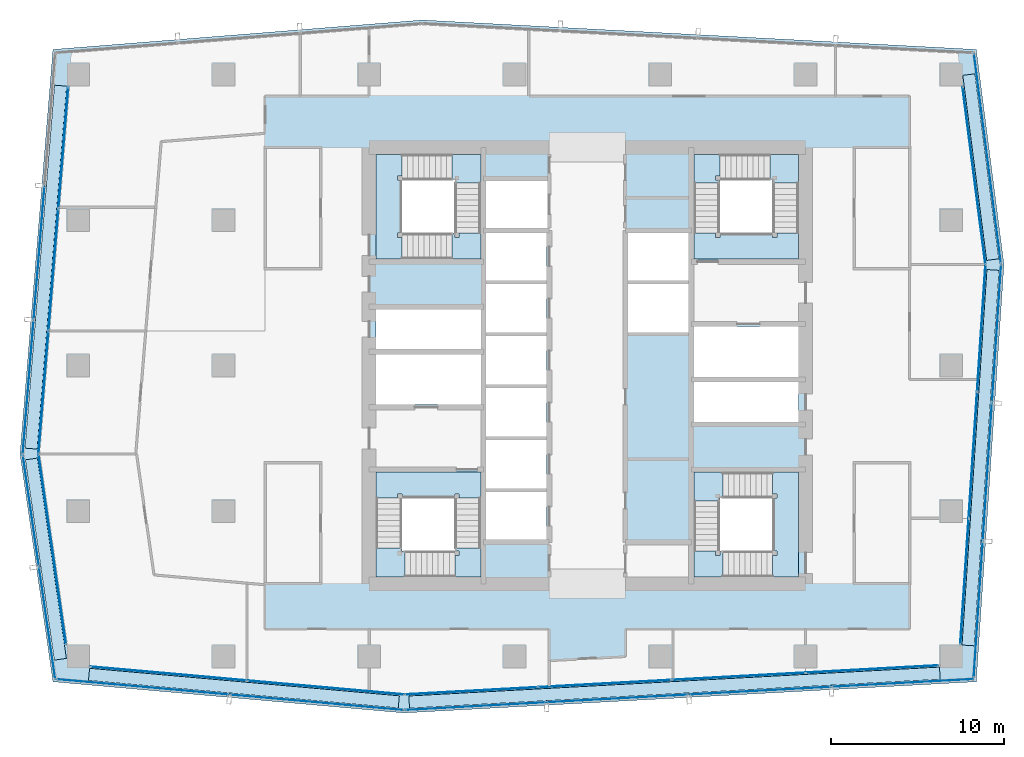
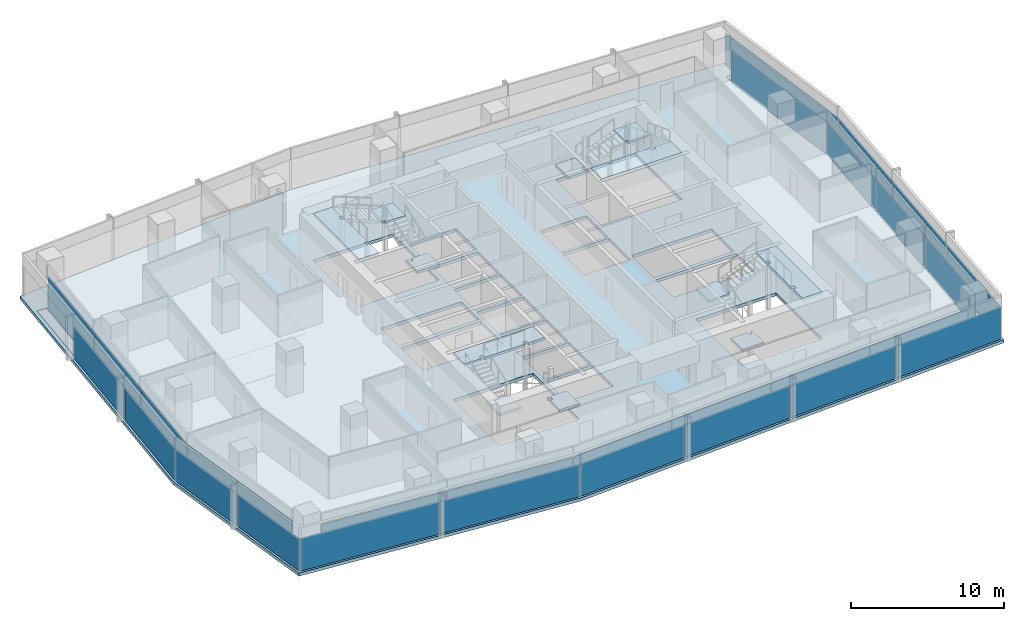
# One storey, part 21 of 29: 34 plates, 13 slabs, 16 elements without a shape of their own.
"""IFC4 building model written with IfcOpenShell, lengths in metres."""

from ifc_helpers import new_model, si_unit, direction, frame, origin, origin_2d, place, context, subcontext, project, spatial, polyline, rectangle, outline, extrude, material, layer, layer_set, type_object, element, aggregate, save


model = new_model("IFC4")

# Units and contexts
model_context = context("Model", 3, precision=1e-05, world=origin(), true_north=direction((0.0, 1.0)))
body_context = subcontext(model_context, "Body", "Model", "MODEL_VIEW")
ifc_project = project(units=[si_unit("LENGTHUNIT", "METRE"), si_unit("AREAUNIT", "SQUARE_METRE"), si_unit("VOLUMEUNIT", "CUBIC_METRE"), si_unit("PLANEANGLEUNIT", "RADIAN"), si_unit("MASSUNIT", "GRAM", prefix="KILO")], contexts=[model_context])

# Site, building, storey
site_placement = place(None, origin())
site = spatial("IfcSite", under=ifc_project, at=site_placement, CompositionType="ELEMENT")
building_placement = place(site_placement, origin())
building = spatial("IfcBuilding", under=site, at=building_placement, Name="Rekha Terrace Tower", CompositionType="ELEMENT")
storey_placement = place(building_placement, frame((0.0, 0.0, 280.10009765625)))
storey = spatial("IfcBuildingStorey", under=building, at=storey_placement, Name="L71", CompositionType="ELEMENT", Elevation=280.10009765625)

# Curtain wall, plates
ifc_material_1 = material(Name="Aluminium framing", Category="aluminium")
curtain_wall_type_1 = type_object("IfcCurtainWallType", Name="CW1 double skin inner glazing", PredefinedType="USERDEFINED", material=ifc_material_1)
curtain_wall_1_placement = place(storey_placement, origin())
curtain_wall_1 = element("IfcCurtainWall", 1, at=curtain_wall_1_placement, inside=storey, type_object=curtain_wall_type_1, Name="CW1 double skin inner glazing", ObjectType="DOUBLE SKIN INNER GLAZING", PredefinedType="USERDEFINED")
ifc_material_2 = material(Name="Double-glazed low-e unit 32", Category="glass")
ifc_layer_1 = layer(ifc_material_2, 0.031982421875)
ifc_layer_set_1 = layer_set([ifc_layer_1], Name="Double-glazed low-e unit 32")
plate_type_1 = type_object("IfcPlateType", Name="CW1 jumbo vision panel, double-glazed low-e unit 32", PredefinedType="CURTAIN_PANEL", material=ifc_layer_set_1)
plate_1_placement = place(storey_placement, frame((13.62939453125, 15.820556640625, -0.000244140625), z_axis=(0.0, 0.0, 1.0), x_axis=(0.996074182663, -0.088522441405, 0.0)))
plate_1 = element("IfcPlate", 2, at=plate_1_placement, type_object=plate_type_1, Name="CW1 panel 1.1", PredefinedType="CURTAIN_PANEL", context=body_context, shape_type="SweptSolid", body=[
    extrude(rectangle(XDim=9.010986328125, YDim=0.031982421875, at=origin_2d()), origin(), (0.0, 0.0, 1.0), 2.60009765625),
])
plate_2_placement = place(storey_placement, frame((22.701904296875, 15.01416015625, -0.000244140625), z_axis=(0.0, 0.0, 1.0), x_axis=(0.996074182663, -0.088522441405, 0.0)))
plate_2 = element("IfcPlate", 3, at=plate_2_placement, type_object=plate_type_1, Name="CW1 panel 2.1", PredefinedType="CURTAIN_PANEL", context=body_context, shape_type="SweptSolid", body=[
    extrude(rectangle(XDim=9.075927734375, YDim=0.031982421875, at=origin_2d()), origin(), (0.0, 0.0, 1.0), 2.60009765625),
])
aggregate(curtain_wall_1, [plate_1, plate_2])

curtain_wall_2_placement = place(storey_placement, origin())
curtain_wall_2 = element("IfcCurtainWall", 4, at=curtain_wall_2_placement, inside=storey, type_object=curtain_wall_type_1, Name="CW1 double skin inner glazing", ObjectType="DOUBLE SKIN INNER GLAZING", PredefinedType="USERDEFINED")
plate_3_placement = place(storey_placement, frame((31.101318359375, 14.82373046875, -0.000244140625), z_axis=(0.0, 0.0, 1.0), x_axis=(0.998519828159, 0.054388903036, 0.0)))
plate_3 = element("IfcPlate", 5, at=plate_3_placement, type_object=plate_type_1, Name="CW1 panel 1.1", PredefinedType="CURTAIN_PANEL", context=body_context, shape_type="SweptSolid", body=[
    extrude(rectangle(XDim=7.6396484375, YDim=0.031982421875, at=origin_2d()), origin(), (0.0, 0.0, 1.0), 2.60009765625),
])
plate_4_placement = place(storey_placement, frame((38.810791015625, 15.243896484375, -0.000244140625), z_axis=(0.0, 0.0, 1.0), x_axis=(0.998519828159, 0.054388903036, 0.0)))
plate_4 = element("IfcPlate", 6, at=plate_4_placement, type_object=plate_type_1, Name="CW1 panel 2.1", PredefinedType="CURTAIN_PANEL", context=body_context, shape_type="SweptSolid", body=[
    extrude(rectangle(XDim=7.672119140625, YDim=0.031982421875, at=origin_2d()), origin(), (0.0, 0.0, 1.0), 2.60009765625),
])
plate_5_placement = place(storey_placement, frame((46.536376953125, 15.66455078125, -0.000244140625), z_axis=(0.0, 0.0, 1.0), x_axis=(0.998519828159, 0.054388903036, 0.0)))
plate_5 = element("IfcPlate", 7, at=plate_5_placement, type_object=plate_type_1, Name="CW1 panel 3.1", PredefinedType="CURTAIN_PANEL", context=body_context, shape_type="SweptSolid", body=[
    extrude(rectangle(XDim=7.672119140625, YDim=0.031982421875, at=origin_2d()), origin(), (0.0, 0.0, 1.0), 2.60009765625),
])
plate_6_placement = place(storey_placement, frame((54.245849609375, 16.08447265625, -0.000244140625), z_axis=(0.0, 0.0, 1.0), x_axis=(0.998519828159, 0.054388903036, 0.0)))
plate_6 = element("IfcPlate", 8, at=plate_6_placement, type_object=plate_type_1, Name="CW1 panel 4.1", PredefinedType="CURTAIN_PANEL", context=body_context, shape_type="SweptSolid", body=[
    extrude(rectangle(XDim=7.6396484375, YDim=0.031982421875, at=origin_2d()), origin(), (0.0, 0.0, 1.0), 2.60009765625),
])
aggregate(curtain_wall_2, [plate_3, plate_4, plate_5, plate_6])

curtain_wall_3_placement = place(storey_placement, origin())
curtain_wall_3 = element("IfcCurtainWall", 9, at=curtain_wall_3_placement, inside=storey, type_object=curtain_wall_type_1, Name="CW1 double skin inner glazing", ObjectType="DOUBLE SKIN INNER GLAZING", PredefinedType="USERDEFINED")
plate_7_placement = place(storey_placement, frame((59.57275390625, 21.147705078125, -0.000244140625), z_axis=(0.0, 0.0, 1.0), x_axis=(0.066271589649, 0.997801621769, 0.0)))
plate_7 = element("IfcPlate", 10, at=plate_7_placement, type_object=plate_type_1, Name="CW1 panel 1.1", PredefinedType="CURTAIN_PANEL", context=body_context, shape_type="SweptSolid", body=[
    extrude(rectangle(XDim=7.228759765625, YDim=0.031982421875, at=origin_2d()), origin(), (0.0, 0.0, 1.0), 2.60009765625),
])
plate_8_placement = place(storey_placement, frame((60.05712890625, 28.441650390625, -0.000244140625), z_axis=(0.0, 0.0, 1.0), x_axis=(0.066271589649, 0.997801621769, 0.0)))
plate_8 = element("IfcPlate", 11, at=plate_8_placement, type_object=plate_type_1, Name="CW1 panel 2.1", PredefinedType="CURTAIN_PANEL", context=body_context, shape_type="SweptSolid", body=[
    extrude(rectangle(XDim=7.261474609375, YDim=0.031982421875, at=origin_2d()), origin(), (0.0, 0.0, 1.0), 2.60009765625),
])
plate_9_placement = place(storey_placement, frame((60.543701171875, 35.76806640625, -0.000244140625), z_axis=(0.0, 0.0, 1.0), x_axis=(0.066271589649, 0.997801621769, 0.0)))
plate_9 = element("IfcPlate", 12, at=plate_9_placement, type_object=plate_type_1, Name="CW1 panel 3.1", PredefinedType="CURTAIN_PANEL", context=body_context, shape_type="SweptSolid", body=[
    extrude(rectangle(XDim=7.2939453125, YDim=0.031982421875, at=origin_2d()), origin(), (0.0, 0.0, 1.0), 2.60009765625),
])
aggregate(curtain_wall_3, [plate_7, plate_8, plate_9])

# Curtain wall, plate
curtain_wall_4_placement = place(storey_placement, origin())
curtain_wall_4 = element("IfcCurtainWall", 13, at=curtain_wall_4_placement, inside=storey, type_object=curtain_wall_type_1, Name="CW1 double skin inner glazing", ObjectType="DOUBLE SKIN INNER GLAZING", PredefinedType="USERDEFINED")
plate_10_placement = place(storey_placement, frame((60.119873046875, 44.56884765625, -0.000244140625), z_axis=(0.0, 0.0, 1.0), x_axis=(-0.127869904766, 0.991790949472, 0.0)))
plate_10 = element("IfcPlate", 14, at=plate_10_placement, type_object=plate_type_1, Name="CW1 panel 1.1", PredefinedType="CURTAIN_PANEL", context=body_context, shape_type="SweptSolid", body=[
    extrude(rectangle(XDim=10.27880859375, YDim=0.031982421875, at=origin_2d()), origin(), (0.0, 0.0, 1.0), 2.60009765625),
])
aggregate(curtain_wall_4, [plate_10])

# Curtain wall, plates
curtain_wall_5_placement = place(storey_placement, origin())
curtain_wall_5 = element("IfcCurtainWall", 15, at=curtain_wall_5_placement, inside=storey, type_object=curtain_wall_type_1, Name="CW1 double skin inner glazing", ObjectType="DOUBLE SKIN INNER GLAZING", PredefinedType="USERDEFINED")
plate_11_placement = place(storey_placement, frame((7.5517578125, 46.173095703125, -0.000244140625), z_axis=(0.0, 0.0, 1.0), x_axis=(-0.081067906781, -0.996708580524, 0.0)))
plate_11 = element("IfcPlate", 16, at=plate_11_placement, type_object=plate_type_1, Name="CW1 panel 1.1", PredefinedType="CURTAIN_PANEL", context=body_context, shape_type="SweptSolid", body=[
    extrude(rectangle(XDim=6.9921875, YDim=0.031982421875, at=origin_2d()), origin(), (0.0, 0.0, 1.0), 2.60009765625),
])
plate_12_placement = place(storey_placement, frame((6.978271484375, 39.123046875, -0.000244140625), z_axis=(0.0, 0.0, 1.0), x_axis=(-0.081067906781, -0.996708580524, 0.0)))
plate_12 = element("IfcPlate", 17, at=plate_12_placement, type_object=plate_type_1, Name="CW1 panel 2.1", PredefinedType="CURTAIN_PANEL", context=body_context, shape_type="SweptSolid", body=[
    extrude(rectangle(XDim=7.024658203125, YDim=0.031982421875, at=origin_2d()), origin(), (0.0, 0.0, 1.0), 2.60009765625),
])
plate_13_placement = place(storey_placement, frame((6.40234375, 32.040283203125, -0.000244140625), z_axis=(0.0, 0.0, 1.0), x_axis=(-0.081067906781, -0.996708580524, 0.0)))
plate_13 = element("IfcPlate", 18, at=plate_13_placement, type_object=plate_type_1, Name="CW1 panel 3.1", PredefinedType="CURTAIN_PANEL", context=body_context, shape_type="SweptSolid", body=[
    extrude(rectangle(XDim=7.057373046875, YDim=0.031982421875, at=origin_2d()), origin(), (0.0, 0.0, 1.0), 2.60009765625),
])
aggregate(curtain_wall_5, [plate_11, plate_12, plate_13])

# Curtain wall, plate
curtain_wall_6_placement = place(storey_placement, origin())
curtain_wall_6 = element("IfcCurtainWall", 19, at=curtain_wall_6_placement, inside=storey, type_object=curtain_wall_type_1, Name="CW1 double skin inner glazing", ObjectType="DOUBLE SKIN INNER GLAZING", PredefinedType="USERDEFINED")
plate_14_placement = place(storey_placement, frame((6.915771484375, 22.994140625, -0.000244140625), z_axis=(0.0, 0.0, 1.0), x_axis=(0.143108322643, -0.989707031394, 0.0)))
plate_14 = element("IfcPlate", 20, at=plate_14_placement, type_object=plate_type_1, Name="CW1 panel 1.1", PredefinedType="CURTAIN_PANEL", context=body_context, shape_type="SweptSolid", body=[
    extrude(rectangle(XDim=11.043212890625, YDim=0.031982421875, at=origin_2d()), origin(), (0.0, 0.0, 1.0), 2.60009765625),
])
aggregate(curtain_wall_6, [plate_14])

# Curtain wall, plates
curtain_wall_type_2 = type_object("IfcCurtainWallType", Name="CW2 double skin outer glazing", PredefinedType="USERDEFINED", material=ifc_material_1)
curtain_wall_7_placement = place(storey_placement, origin())
curtain_wall_7 = element("IfcCurtainWall", 21, at=curtain_wall_7_placement, inside=storey, type_object=curtain_wall_type_2, Name="CW2 double skin outer glazing", ObjectType="DOUBLE SKIN OUTER GLAZING", PredefinedType="USERDEFINED")
ifc_material_3 = material(Name="Toughened single glazing 12", Category="glass")
ifc_layer_2 = layer(ifc_material_3, 0.011962890625)
ifc_layer_set_2 = layer_set([ifc_layer_2], Name="Toughened single glazing 12")
plate_type_2 = type_object("IfcPlateType", Name="CW2 jumbo vision panel, toughened single glazing 12", PredefinedType="CURTAIN_PANEL", material=ifc_layer_set_2)
plate_15_placement = place(storey_placement, frame((12.139404296875, 15.049560546875, -0.000244140625), z_axis=(0.0, 0.0, 1.0), x_axis=(0.996074182658, -0.088522441457, 0.0)))
plate_15 = element("IfcPlate", 22, at=plate_15_placement, type_object=plate_type_2, Name="CW2 panel 1.1", PredefinedType="CURTAIN_PANEL", context=body_context, shape_type="SweptSolid", body=[
    extrude(rectangle(XDim=9.977783203125, YDim=0.011962890625, at=origin_2d()), origin(), (0.0, 0.0, 1.0), 2.60009765625),
])
plate_16_placement = place(storey_placement, frame((22.197509765625, 14.155517578125, -0.000244140625), z_axis=(0.0, 0.0, 1.0), x_axis=(0.996074182658, -0.088522441457, 0.0)))
plate_16 = element("IfcPlate", 23, at=plate_16_placement, type_object=plate_type_2, Name="CW2 panel 2.1", PredefinedType="CURTAIN_PANEL", context=body_context, shape_type="SweptSolid", body=[
    extrude(rectangle(XDim=10.057861328125, YDim=0.011962890625, at=origin_2d()), origin(), (0.0, 0.0, 1.0), 2.60009765625),
])
aggregate(curtain_wall_7, [plate_15, plate_16])

curtain_wall_8_placement = place(storey_placement, origin())
curtain_wall_8 = element("IfcCurtainWall", 24, at=curtain_wall_8_placement, inside=storey, type_object=curtain_wall_type_2, Name="CW2 double skin outer glazing", ObjectType="DOUBLE SKIN OUTER GLAZING", PredefinedType="USERDEFINED")
plate_17_placement = place(storey_placement, frame((31.33837890625, 13.935546875, -0.000244140625), z_axis=(0.0, 0.0, 1.0), x_axis=(0.998519828157, 0.054388903071, 0.0)))
plate_17 = element("IfcPlate", 25, at=plate_17_placement, type_object=plate_type_2, Name="CW2 panel 1.1", PredefinedType="CURTAIN_PANEL", context=body_context, shape_type="SweptSolid", body=[
    extrude(rectangle(XDim=8.115478515625, YDim=0.011962890625, at=origin_2d()), origin(), (0.0, 0.0, 1.0), 2.60009765625),
])
plate_18_placement = place(storey_placement, frame((39.54150390625, 14.38232421875, -0.000244140625), z_axis=(0.0, 0.0, 1.0), x_axis=(0.998519828157, 0.054388903071, 0.0)))
plate_18 = element("IfcPlate", 26, at=plate_18_placement, type_object=plate_type_2, Name="CW2 panel 2.1", PredefinedType="CURTAIN_PANEL", context=body_context, shape_type="SweptSolid", body=[
    extrude(rectangle(XDim=8.155517578125, YDim=0.011962890625, at=origin_2d()), origin(), (0.0, 0.0, 1.0), 2.60009765625),
])
plate_19_placement = place(storey_placement, frame((47.764892578125, 14.830078125, -0.000244140625), z_axis=(0.0, 0.0, 1.0), x_axis=(0.998519828157, 0.054388903071, 0.0)))
plate_19 = element("IfcPlate", 27, at=plate_19_placement, type_object=plate_type_2, Name="CW2 panel 3.1", PredefinedType="CURTAIN_PANEL", context=body_context, shape_type="SweptSolid", body=[
    extrude(rectangle(XDim=8.155517578125, YDim=0.011962890625, at=origin_2d()), origin(), (0.0, 0.0, 1.0), 2.60009765625),
])
plate_20_placement = place(storey_placement, frame((56.008056640625, 15.279296875, -0.000244140625), z_axis=(0.0, 0.0, 1.0), x_axis=(0.998519828157, 0.054388903071, 0.0)))
plate_20 = element("IfcPlate", 28, at=plate_20_placement, type_object=plate_type_2, Name="CW2 panel 4.1", PredefinedType="CURTAIN_PANEL", context=body_context, shape_type="SweptSolid", body=[
    extrude(rectangle(XDim=8.195556640625, YDim=0.011962890625, at=origin_2d()), origin(), (0.0, 0.0, 1.0), 2.60009765625),
])
aggregate(curtain_wall_8, [plate_17, plate_18, plate_19, plate_20])

curtain_wall_9_placement = place(storey_placement, origin())
curtain_wall_9 = element("IfcCurtainWall", 29, at=curtain_wall_9_placement, inside=storey, type_object=curtain_wall_type_2, Name="CW2 double skin outer glazing", ObjectType="DOUBLE SKIN OUTER GLAZING", PredefinedType="USERDEFINED")
plate_21_placement = place(storey_placement, frame((60.365966796875, 19.5107421875, -0.000244140625), z_axis=(0.0, 0.0, 1.0), x_axis=(0.066271589649, 0.997801621769, 0.0)))
plate_21 = element("IfcPlate", 30, at=plate_21_placement, type_object=plate_type_2, Name="CW2 panel 1.1", PredefinedType="CURTAIN_PANEL", context=body_context, shape_type="SweptSolid", body=[
    extrude(rectangle(XDim=7.875244140625, YDim=0.011962890625, at=origin_2d()), origin(), (0.0, 0.0, 1.0), 2.60009765625),
])
plate_22_placement = place(storey_placement, frame((60.89453125, 27.468505859375, -0.000244140625), z_axis=(0.0, 0.0, 1.0), x_axis=(0.066271589649, 0.997801621769, 0.0)))
plate_22 = element("IfcPlate", 31, at=plate_22_placement, type_object=plate_type_2, Name="CW2 panel 2.1", PredefinedType="CURTAIN_PANEL", context=body_context, shape_type="SweptSolid", body=[
    extrude(rectangle(XDim=7.915283203125, YDim=0.011962890625, at=origin_2d()), origin(), (0.0, 0.0, 1.0), 2.60009765625),
])
plate_23_placement = place(storey_placement, frame((61.42578125, 35.466064453125, -0.000244140625), z_axis=(0.0, 0.0, 1.0), x_axis=(0.066271589649, 0.997801621769, 0.0)))
plate_23 = element("IfcPlate", 32, at=plate_23_placement, type_object=plate_type_2, Name="CW2 panel 3.1", PredefinedType="CURTAIN_PANEL", context=body_context, shape_type="SweptSolid", body=[
    extrude(rectangle(XDim=7.955322265625, YDim=0.011962890625, at=origin_2d()), origin(), (0.0, 0.0, 1.0), 2.60009765625),
])
aggregate(curtain_wall_9, [plate_21, plate_22, plate_23])

# Curtain wall, plate
curtain_wall_10_placement = place(storey_placement, origin())
curtain_wall_10 = element("IfcCurtainWall", 33, at=curtain_wall_10_placement, inside=storey, type_object=curtain_wall_type_2, Name="CW2 double skin outer glazing", ObjectType="DOUBLE SKIN OUTER GLAZING", PredefinedType="USERDEFINED")
plate_24_placement = place(storey_placement, frame((60.89892578125, 45.566162109375, -0.000244140625), z_axis=(0.0, 0.0, 1.0), x_axis=(-0.12786990487, 0.991790949459, 0.0)))
plate_24 = element("IfcPlate", 34, at=plate_24_placement, type_object=plate_type_2, Name="CW2 panel 1.1", PredefinedType="CURTAIN_PANEL", context=body_context, shape_type="SweptSolid", body=[
    extrude(rectangle(XDim=12.203857421875, YDim=0.011962890625, at=origin_2d()), origin(), (0.0, 0.0, 1.0), 2.60009765625),
])
aggregate(curtain_wall_10, [plate_24])

# Curtain wall, plates
curtain_wall_11_placement = place(storey_placement, origin())
curtain_wall_11 = element("IfcCurtainWall", 35, at=curtain_wall_11_placement, inside=storey, type_object=curtain_wall_type_2, Name="CW2 double skin outer glazing", ObjectType="DOUBLE SKIN OUTER GLAZING", PredefinedType="USERDEFINED")
plate_25_placement = place(storey_placement, frame((6.15478515625, 40.09814453125, -0.000244140625), z_axis=(0.0, 0.0, 1.0), x_axis=(-0.081067906816, -0.996708580521, 0.0)))
plate_25 = element("IfcPlate", 36, at=plate_25_placement, type_object=plate_type_2, Name="CW2 panel 2.1", PredefinedType="CURTAIN_PANEL", context=body_context, shape_type="SweptSolid", body=[
    extrude(rectangle(XDim=7.680908203125, YDim=0.011962890625, at=origin_2d()), origin(), (0.0, 0.0, 1.0), 2.60009765625),
])
plate_26_placement = place(storey_placement, frame((5.52392578125, 32.3427734375, -0.000244140625), z_axis=(0.0, 0.0, 1.0), x_axis=(-0.081067906816, -0.996708580521, 0.0)))
plate_26 = element("IfcPlate", 37, at=plate_26_placement, type_object=plate_type_2, Name="CW2 panel 3.1", PredefinedType="CURTAIN_PANEL", context=body_context, shape_type="SweptSolid", body=[
    extrude(rectangle(XDim=7.720947265625, YDim=0.011962890625, at=origin_2d()), origin(), (0.0, 0.0, 1.0), 2.60009765625),
])
aggregate(curtain_wall_11, [plate_25, plate_26])

curtain_wall_12_placement = place(storey_placement, origin())
curtain_wall_12 = element("IfcCurtainWall", 38, at=curtain_wall_12_placement, inside=storey, type_object=curtain_wall_type_2, Name="CW2 double skin outer glazing", ObjectType="DOUBLE SKIN OUTER GLAZING", PredefinedType="USERDEFINED")
plate_27_placement = place(storey_placement, frame((5.68359375, 25.22607421875, -0.000244140625), z_axis=(0.0, 0.0, 1.0), x_axis=(0.143108322678, -0.989707031389, 0.0)))
plate_27 = element("IfcPlate", 39, at=plate_27_placement, type_object=plate_type_2, Name="CW2 panel 1.1", PredefinedType="CURTAIN_PANEL", context=body_context, shape_type="SweptSolid", body=[
    extrude(rectangle(XDim=6.446044921875, YDim=0.011962890625, at=origin_2d()), origin(), (0.0, 0.0, 1.0), 2.60009765625),
])
plate_28_placement = place(storey_placement, frame((6.623291015625, 18.7275390625, -0.000244140625), z_axis=(0.0, 0.0, 1.0), x_axis=(0.143108322678, -0.989707031389, 0.0)))
plate_28 = element("IfcPlate", 40, at=plate_28_placement, type_object=plate_type_2, Name="CW2 panel 2.1", PredefinedType="CURTAIN_PANEL", context=body_context, shape_type="SweptSolid", body=[
    extrude(rectangle(XDim=6.526123046875, YDim=0.011962890625, at=origin_2d()), origin(), (0.0, 0.0, 1.0), 2.60009765625),
])
aggregate(curtain_wall_12, [plate_27, plate_28])

# Plates
ifc_material_4 = material(Name="Galvanised steel open grating", Category="steel")
ifc_layer_3 = layer(ifc_material_4, 0.050048828125)
ifc_layer_set_3 = layer_set([ifc_layer_3], Name="Galvanised steel open grating")
plate_type_3 = type_object("IfcPlateType", Name="GT1 cavity walkway grating 50", PredefinedType="USERDEFINED", material=ifc_layer_set_3)
plate_29_placement = place(storey_placement, frame((17.974853515625, 14.982666015625, 0.0), z_axis=(0.0, 0.0, 1.0), x_axis=(0.99607418266, -0.08852244144, 0.0)))
element("IfcPlate", 41, at=plate_29_placement, inside=storey, type_object=plate_type_3, Name="Cavity walkway grating", ObjectType="CAVITY WALKWAY GRATING", PredefinedType="USERDEFINED", context=body_context, shape_type="SweptSolid", body=[
    extrude(rectangle(XDim=17.9521484375, YDim=0.705078125, at=origin_2d()), origin(), (0.0, 0.0, 1.0), 0.050048828125),
])
plate_30_placement = place(storey_placement, frame((42.830322265625, 15.011962890625, 0.0), z_axis=(0.0, 0.0, 1.0), x_axis=(0.998519828157, 0.054388903071, 0.0)))
element("IfcPlate", 42, at=plate_30_placement, inside=storey, type_object=plate_type_3, Name="Cavity walkway grating", ObjectType="CAVITY WALKWAY GRATING", PredefinedType="USERDEFINED", context=body_context, shape_type="SweptSolid", body=[
    extrude(rectangle(XDim=30.677978515625, YDim=0.705078125, at=origin_2d()), origin(), (0.0, 0.0, 1.0), 0.050048828125),
])
plate_31_placement = place(storey_placement, frame((60.497802734375, 28.284912109375, 0.0), z_axis=(0.0, 0.0, 1.0), x_axis=(0.066271589649, 0.997801621769, 0.0)))
element("IfcPlate", 43, at=plate_31_placement, inside=storey, type_object=plate_type_3, Name="Cavity walkway grating", ObjectType="CAVITY WALKWAY GRATING", PredefinedType="USERDEFINED", context=body_context, shape_type="SweptSolid", body=[
    extrude(rectangle(XDim=21.72119140625, YDim=0.705078125, at=origin_2d()), origin(), (0.0, 0.0, 1.0), 0.050048828125),
])
plate_32_placement = place(storey_placement, frame((60.510498046875, 45.058837890625, 0.0), z_axis=(0.0, 0.0, 1.0), x_axis=(-0.127869904852, 0.991790949461, 0.0)))
element("IfcPlate", 44, at=plate_32_placement, inside=storey, type_object=plate_type_3, Name="Cavity walkway grating", ObjectType="CAVITY WALKWAY GRATING", PredefinedType="USERDEFINED", context=body_context, shape_type="SweptSolid", body=[
    extrude(rectangle(XDim=10.76904296875, YDim=0.705078125, at=origin_2d()), origin(), (0.0, 0.0, 1.0), 0.050048828125),
])
plate_33_placement = place(storey_placement, frame((6.5400390625, 39.28369140625, 0.0), z_axis=(0.0, 0.0, 1.0), x_axis=(-0.081067906798, -0.996708580523, 0.0)))
element("IfcPlate", 45, at=plate_33_placement, inside=storey, type_object=plate_type_3, Name="Cavity walkway grating", ObjectType="CAVITY WALKWAY GRATING", PredefinedType="USERDEFINED", context=body_context, shape_type="SweptSolid", body=[
    extrude(rectangle(XDim=21.02001953125, YDim=0.705078125, at=origin_2d()), origin(), (0.0, 0.0, 1.0), 0.050048828125),
])
plate_34_placement = place(storey_placement, frame((6.54248046875, 22.4306640625, 0.0), z_axis=(0.0, 0.0, 1.0), x_axis=(0.143108322643, -0.989707031394, 0.0)))
element("IfcPlate", 46, at=plate_34_placement, inside=storey, type_object=plate_type_3, Name="Cavity walkway grating", ObjectType="CAVITY WALKWAY GRATING", PredefinedType="USERDEFINED", context=body_context, shape_type="SweptSolid", body=[
    extrude(rectangle(XDim=11.68310546875, YDim=0.705078125, at=origin_2d()), origin(), (0.0, 0.0, 1.0), 0.050048828125),
])

# Stair, slabs
ifc_material_5 = material(Name="Concrete M40", Category="concrete")
stair_type = type_object("IfcStairType", Name="ST30 stair, 30 risers of 125, going 320, 1500 wide flights, 3 flights", PredefinedType="HALF_TURN_STAIR", material=ifc_material_5)
stair_1_placement = place(storey_placement, origin())
stair_1 = element("IfcStair", 47, at=stair_1_placement, inside=storey, type_object=stair_type, Name="Stair ST1 L71 to L72", PredefinedType="HALF_TURN_STAIR")
ifc_layer_4 = layer(ifc_material_5, 0.199951171875)
ifc_layer_set_4 = layer_set([ifc_layer_4], Name="Concrete M40")
slab_type_1 = type_object("IfcSlabType", Name="LD1 200 concrete stair landing", PredefinedType="LANDING", material=ifc_layer_set_4)
slab_1_placement = place(storey_placement, frame((0.0, 0.0, 1.0498046875)))
slab_1 = element("IfcSlab", 48, at=slab_1_placement, type_object=slab_type_1, Name="ST1 landing 1", PredefinedType="LANDING", context=body_context, shape_type="SweptSolid", body=[
    extrude(outline(polyline([(30.14990234375, 21.39990234375), (31.64990234375, 21.39990234375), (31.64990234375, 23.070068359375), (30.14990234375, 23.070068359375), (30.14990234375, 22.89990234375), (30.39990234375, 22.89990234375), (30.39990234375, 22.64990234375), (30.14990234375, 22.64990234375), (30.14990234375, 21.39990234375)])), origin(), (0.0, 0.0, 1.0), 0.2001953125),
])
slab_2_placement = place(storey_placement, frame((0.0, 0.0, 2.2998046875)))
slab_2 = element("IfcSlab", 49, at=slab_2_placement, type_object=slab_type_1, Name="ST1 landing 2", PredefinedType="LANDING", context=body_context, shape_type="SweptSolid", body=[
    extrude(outline(polyline([(27.10009765625, 23.070068359375), (25.60009765625, 23.070068359375), (25.60009765625, 21.39990234375), (27.27001953125, 21.39990234375), (27.27001953125, 22.89990234375), (27.10009765625, 22.89990234375), (27.10009765625, 23.070068359375)])), origin(), (0.0, 0.0, 1.0), 0.2001953125),
])
slab_3_placement = place(storey_placement, frame((0.0, 0.0, 3.5498046875)))
slab_3 = element("IfcSlab", 50, at=slab_3_placement, type_object=slab_type_1, Name="ST1 landing 3", PredefinedType="LANDING", context=body_context, shape_type="SweptSolid", body=[
    extrude(outline(polyline([(31.64990234375, 25.949951171875), (31.64990234375, 27.449951171875), (25.60009765625, 27.449951171875), (25.60009765625, 25.949951171875), (26.85009765625, 25.949951171875), (26.85009765625, 26.199951171875), (27.10009765625, 26.199951171875), (27.10009765625, 25.949951171875), (30.14990234375, 25.949951171875), (30.14990234375, 26.199951171875), (30.39990234375, 26.199951171875), (30.39990234375, 25.949951171875), (31.64990234375, 25.949951171875)])), origin(), (0.0, 0.0, 1.0), 0.2001953125),
])
aggregate(stair_1, [slab_1, slab_2, slab_3])

stair_2_placement = place(storey_placement, origin())
stair_2 = element("IfcStair", 51, at=stair_2_placement, inside=storey, type_object=stair_type, Name="Stair ST2 L71 to L72", PredefinedType="HALF_TURN_STAIR")
slab_4_placement = place(storey_placement, frame((0.0, 0.0, 1.0498046875)))
slab_4 = element("IfcSlab", 52, at=slab_4_placement, type_object=slab_type_1, Name="ST2 landing 1", PredefinedType="LANDING", context=body_context, shape_type="SweptSolid", body=[
    extrude(outline(polyline([(45.449951171875, 45.800048828125), (43.949951171875, 45.800048828125), (43.949951171875, 44.1298828125), (45.449951171875, 44.1298828125), (45.449951171875, 44.300048828125), (45.199951171875, 44.300048828125), (45.199951171875, 44.550048828125), (45.449951171875, 44.550048828125), (45.449951171875, 45.800048828125)])), origin(), (0.0, 0.0, 1.0), 0.2001953125),
])
slab_5_placement = place(storey_placement, frame((0.0, 0.0, 2.2998046875)))
slab_5 = element("IfcSlab", 53, at=slab_5_placement, type_object=slab_type_1, Name="ST2 landing 2", PredefinedType="LANDING", context=body_context, shape_type="SweptSolid", body=[
    extrude(outline(polyline([(48.5, 44.1298828125), (50.0, 44.1298828125), (50.0, 45.800048828125), (48.330078125, 45.800048828125), (48.330078125, 44.300048828125), (48.5, 44.300048828125), (48.5, 44.1298828125)])), origin(), (0.0, 0.0, 1.0), 0.2001953125),
])
slab_6_placement = place(storey_placement, frame((0.0, 0.0, 3.5498046875)))
slab_6 = element("IfcSlab", 54, at=slab_6_placement, type_object=slab_type_1, Name="ST2 landing 3", PredefinedType="LANDING", context=body_context, shape_type="SweptSolid", body=[
    extrude(outline(polyline([(43.949951171875, 41.25), (43.949951171875, 39.75), (50.0, 39.75), (50.0, 41.25), (48.75, 41.25), (48.75, 41.0), (48.5, 41.0), (48.5, 41.25), (45.449951171875, 41.25), (45.449951171875, 41.0), (45.199951171875, 41.0), (45.199951171875, 41.25), (43.949951171875, 41.25)])), origin(), (0.0, 0.0, 1.0), 0.2001953125),
])
aggregate(stair_2, [slab_4, slab_5, slab_6])

stair_3_placement = place(storey_placement, origin())
stair_3 = element("IfcStair", 55, at=stair_3_placement, inside=storey, type_object=stair_type, Name="Stair ST3 L71 to L72", PredefinedType="HALF_TURN_STAIR")
slab_7_placement = place(storey_placement, frame((0.0, 0.0, 1.0498046875)))
slab_7 = element("IfcSlab", 56, at=slab_7_placement, type_object=slab_type_1, Name="ST3 landing 1", PredefinedType="LANDING", context=body_context, shape_type="SweptSolid", body=[
    extrude(outline(polyline([(43.949951171875, 22.89990234375), (43.949951171875, 21.39990234375), (45.6201171875, 21.39990234375), (45.6201171875, 22.89990234375), (45.449951171875, 22.89990234375), (45.449951171875, 22.64990234375), (45.199951171875, 22.64990234375), (45.199951171875, 22.89990234375), (43.949951171875, 22.89990234375)])), origin(), (0.0, 0.0, 1.0), 0.2001953125),
])
slab_8_placement = place(storey_placement, frame((0.0, 0.0, 2.2998046875)))
slab_8 = element("IfcSlab", 57, at=slab_8_placement, type_object=slab_type_1, Name="ST3 landing 2", PredefinedType="LANDING", context=body_context, shape_type="SweptSolid", body=[
    extrude(outline(polyline([(45.6201171875, 25.949951171875), (45.6201171875, 27.449951171875), (43.949951171875, 27.449951171875), (43.949951171875, 25.780029296875), (45.449951171875, 25.780029296875), (45.449951171875, 25.949951171875), (45.6201171875, 25.949951171875)])), origin(), (0.0, 0.0, 1.0), 0.2001953125),
])
slab_9_placement = place(storey_placement, frame((0.0, 0.0, 3.5498046875)))
slab_9 = element("IfcSlab", 58, at=slab_9_placement, type_object=slab_type_1, Name="ST3 landing 3", PredefinedType="LANDING", context=body_context, shape_type="SweptSolid", body=[
    extrude(outline(polyline([(48.5, 21.39990234375), (50.0, 21.39990234375), (50.0, 27.449951171875), (48.5, 27.449951171875), (48.5, 26.199951171875), (48.75, 26.199951171875), (48.75, 25.949951171875), (48.5, 25.949951171875), (48.5, 22.89990234375), (48.75, 22.89990234375), (48.75, 22.64990234375), (48.5, 22.64990234375), (48.5, 21.39990234375)])), origin(), (0.0, 0.0, 1.0), 0.2001953125),
])
aggregate(stair_3, [slab_7, slab_8, slab_9])

stair_4_placement = place(storey_placement, origin())
stair_4 = element("IfcStair", 59, at=stair_4_placement, inside=storey, type_object=stair_type, Name="Stair ST4 L71 to L72", PredefinedType="HALF_TURN_STAIR")
slab_10_placement = place(storey_placement, frame((0.0, 0.0, 1.0498046875)))
slab_10 = element("IfcSlab", 60, at=slab_10_placement, type_object=slab_type_1, Name="ST4 landing 1", PredefinedType="LANDING", context=body_context, shape_type="SweptSolid", body=[
    extrude(outline(polyline([(31.64990234375, 41.25), (31.64990234375, 39.75), (29.97998046875, 39.75), (29.97998046875, 41.25), (30.14990234375, 41.25), (30.14990234375, 41.0), (30.39990234375, 41.0), (30.39990234375, 41.25), (31.64990234375, 41.25)])), origin(), (0.0, 0.0, 1.0), 0.2001953125),
])
slab_11_placement = place(storey_placement, frame((0.0, 0.0, 2.2998046875)))
slab_11 = element("IfcSlab", 61, at=slab_11_placement, type_object=slab_type_1, Name="ST4 landing 2", PredefinedType="LANDING", context=body_context, shape_type="SweptSolid", body=[
    extrude(outline(polyline([(29.97998046875, 44.300048828125), (29.97998046875, 45.800048828125), (31.64990234375, 45.800048828125), (31.64990234375, 44.1298828125), (30.14990234375, 44.1298828125), (30.14990234375, 44.300048828125), (29.97998046875, 44.300048828125)])), origin(), (0.0, 0.0, 1.0), 0.2001953125),
])
slab_12_placement = place(storey_placement, frame((0.0, 0.0, 3.5498046875)))
slab_12 = element("IfcSlab", 62, at=slab_12_placement, type_object=slab_type_1, Name="ST4 landing 3", PredefinedType="LANDING", context=body_context, shape_type="SweptSolid", body=[
    extrude(outline(polyline([(27.10009765625, 39.75), (25.60009765625, 39.75), (25.60009765625, 45.800048828125), (27.10009765625, 45.800048828125), (27.10009765625, 44.550048828125), (26.85009765625, 44.550048828125), (26.85009765625, 44.300048828125), (27.10009765625, 44.300048828125), (27.10009765625, 41.25), (26.85009765625, 41.25), (26.85009765625, 41.0), (27.10009765625, 41.0), (27.10009765625, 39.75)])), origin(), (0.0, 0.0, 1.0), 0.2001953125),
])
aggregate(stair_4, [slab_10, slab_11, slab_12])

# Slab
ifc_material_6 = material(Name="Concrete M50", Category="concrete")
ifc_layer_5 = layer(ifc_material_6, 0.25)
ifc_layer_set_5 = layer_set([ifc_layer_5], Name="Concrete M50")
slab_type_2 = type_object("IfcSlabType", Name="SL4 250 post-tensioned flat plate", PredefinedType="FLOOR", material=ifc_layer_set_5)
slab_13_placement = place(storey_placement, frame((0.0, 0.0, -0.25)))
element("IfcSlab", 63, at=slab_13_placement, inside=storey, type_object=slab_type_2, Name="Post-tensioned flat plate L71", PredefinedType="FLOOR", context=body_context, shape_type="SweptSolid", body=[
    extrude(outline(polyline([(5.050048828125, 28.489990234375), (6.949951171875, 15.35009765625), (27.2041015625, 13.550048828125), (60.25, 15.35009765625), (61.85009765625, 39.43994140625), (60.25, 51.85009765625), (28.27001953125, 53.550048828125), (6.949951171875, 51.85009765625), (5.050048828125, 28.489990234375)]), holes=[polyline([(31.64990234375, 27.449951171875), (31.64990234375, 21.39990234375), (25.60009765625, 21.39990234375), (25.60009765625, 27.449951171875), (31.64990234375, 27.449951171875)]), polyline([(35.449951171875, 26.300048828125), (35.449951171875, 23.550048828125), (31.949951171875, 23.550048828125), (31.949951171875, 26.300048828125), (35.449951171875, 26.300048828125)]), polyline([(35.449951171875, 29.300048828125), (35.449951171875, 26.5), (31.949951171875, 26.5), (31.949951171875, 29.300048828125), (35.449951171875, 29.300048828125)]), polyline([(35.449951171875, 32.300048828125), (35.449951171875, 29.5), (31.949951171875, 29.5), (31.949951171875, 32.300048828125), (35.449951171875, 32.300048828125)]), polyline([(31.64990234375, 34.25), (31.64990234375, 31.35009765625), (25.60009765625, 31.35009765625), (25.60009765625, 34.25), (31.64990234375, 34.25)]), polyline([(35.449951171875, 35.300048828125), (35.449951171875, 32.5), (31.949951171875, 32.5), (31.949951171875, 35.300048828125), (35.449951171875, 35.300048828125)]), polyline([(31.64990234375, 36.85009765625), (31.64990234375, 34.550048828125), (25.60009765625, 34.550048828125), (25.60009765625, 36.85009765625), (31.64990234375, 36.85009765625)]), polyline([(35.449951171875, 38.300048828125), (35.449951171875, 35.5), (31.949951171875, 35.5), (31.949951171875, 38.300048828125), (35.449951171875, 38.300048828125)]), polyline([(31.64990234375, 45.800048828125), (31.64990234375, 39.75), (25.60009765625, 39.75), (25.60009765625, 45.800048828125), (31.64990234375, 45.800048828125)]), polyline([(50.0, 27.449951171875), (50.0, 21.39990234375), (43.949951171875, 21.39990234375), (43.949951171875, 27.449951171875), (50.0, 27.449951171875)]), polyline([(50.0, 32.64990234375), (50.0, 30.35009765625), (43.949951171875, 30.35009765625), (43.949951171875, 32.64990234375), (50.0, 32.64990234375)]), polyline([(50.0, 35.85009765625), (50.0, 32.949951171875), (43.949951171875, 32.949951171875), (43.949951171875, 35.85009765625), (50.0, 35.85009765625)]), polyline([(43.64990234375, 38.300048828125), (43.64990234375, 35.5), (40.14990234375, 35.5), (40.14990234375, 38.300048828125), (43.64990234375, 38.300048828125)]), polyline([(35.449951171875, 41.25), (35.449951171875, 38.5), (31.949951171875, 38.5), (31.949951171875, 41.25), (35.449951171875, 41.25)]), polyline([(43.64990234375, 41.25), (43.64990234375, 38.5), (40.14990234375, 38.5), (40.14990234375, 41.25), (43.64990234375, 41.25)]), polyline([(50.0, 39.75), (43.949951171875, 39.75), (43.949951171875, 45.800048828125), (50.0, 45.800048828125), (50.0, 39.75)]), polyline([(35.5, 41.550048828125), (31.949951171875, 41.550048828125), (31.949951171875, 44.25), (35.5, 44.25), (35.5, 41.550048828125)])]), origin(), (0.0, 0.0, 1.0), 0.25),
])

save(model, "model.ifc")
